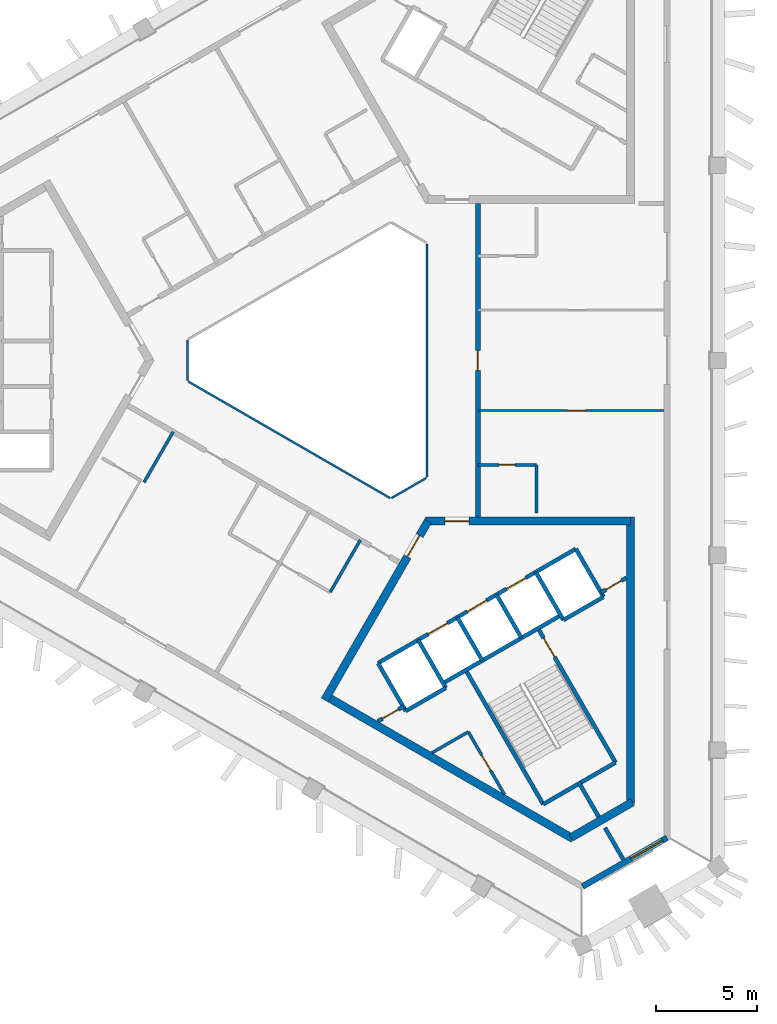
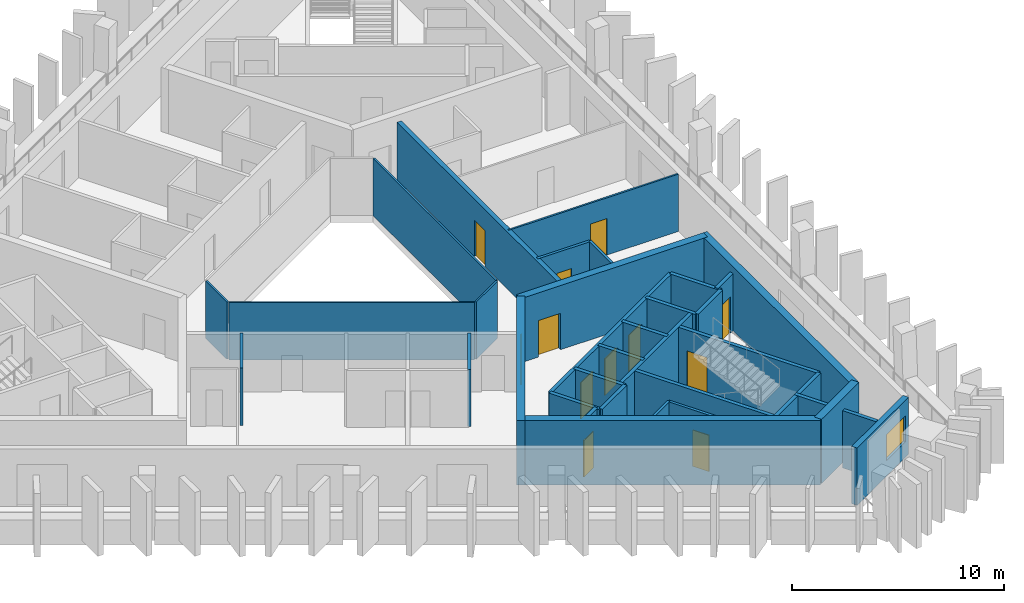
# One storey, part 3 of 9: 35 walls, 12 doors, 1 window, 13 openings.
"""IFC4 building model written with IfcOpenShell, lengths in metres."""

from ifc_helpers import new_model, si_unit, direction, frame, frame_2d, origin, place, context, subcontext, project, spatial, rectangle, extrude, material, layer, layer_set, type_object, element, fill, save


model = new_model("IFC4")

# Units and contexts
model_context = context("Model", 3, precision=1e-05, world=origin(), true_north=direction((0.0, 1.0)))
body_context = subcontext(model_context, "Body", "Model", "MODEL_VIEW")
ifc_project = project(units=[si_unit("LENGTHUNIT", "METRE"), si_unit("AREAUNIT", "SQUARE_METRE"), si_unit("VOLUMEUNIT", "CUBIC_METRE"), si_unit("PLANEANGLEUNIT", "RADIAN"), si_unit("MASSUNIT", "GRAM", prefix="KILO")], contexts=[model_context])

# Site, building, storey
site_placement = place(None, origin())
site = spatial("IfcSite", under=ifc_project, at=site_placement, CompositionType="ELEMENT")
building_placement = place(site_placement, origin())
building = spatial("IfcBuilding", under=site, at=building_placement, Name="Jabali Bay Hotel Tower and Convention Centre", CompositionType="ELEMENT")
storey_placement = place(building_placement, frame((0.0, 0.0, 277.5)))
storey = spatial("IfcBuildingStorey", under=building, at=storey_placement, Name="L68", CompositionType="ELEMENT", Elevation=277.5)

# Walls
ifc_material_1 = material(Name="Fire-resistant glazing", Category="glass")
ifc_layer_1 = layer(ifc_material_1, 0.10009765625)
ifc_layer_set_1 = layer_set([ifc_layer_1], Name="Fire-resistant glazing")
wall_type_1 = type_object("IfcWallType", Name="Atrium glazed screen 100", PredefinedType="PARTITIONING", material=ifc_layer_set_1)
wall_1_placement = place(storey_placement, frame((79.56005859375, 74.205810546875, 0.0), z_axis=(0.0, 0.0, 1.0), x_axis=(0.0, 1.0, 0.0)))
element("IfcWall", 1, at=wall_1_placement, inside=storey, type_object=wall_type_1, Name="Atrium screen 1 L68", PredefinedType="PARTITIONING", context=body_context, shape_type="SweptSolid", body=[
    extrude(rectangle(XDim=11.58837890625, YDim=0.10009765625, at=frame_2d((5.794189453125, 0.0))), origin(), (0.0, 0.0, 1.0), 3.300048828125),
])
wall_2_placement = place(storey_placement, frame((67.672119140625, 81.0, 0.0), z_axis=(0.0, 0.0, 1.0), x_axis=(0.0, -1.0, 0.0)))
element("IfcWall", 2, at=wall_2_placement, inside=storey, type_object=wall_type_1, Name="Atrium screen 4 L68", PredefinedType="PARTITIONING", context=body_context, shape_type="SweptSolid", body=[
    extrude(rectangle(XDim=2.0, YDim=0.10009765625, at=frame_2d((1.0, 0.0))), origin(), (0.0, 0.0, 1.0), 3.300048828125),
])
wall_3_placement = place(storey_placement, frame((67.7021484375, 78.947998046875, 0.0), z_axis=(0.0, 0.0, 1.0), x_axis=(0.866026658274, -0.499997827154, 0.0)))
element("IfcWall", 3, at=wall_3_placement, inside=storey, type_object=wall_type_1, Name="Atrium screen 5 L68", PredefinedType="PARTITIONING", context=body_context, shape_type="SweptSolid", body=[
    extrude(rectangle(XDim=11.58837890625, YDim=0.10009765625, at=frame_2d((5.794189453125, 0.0))), origin(), (0.0, 0.0, 1.0), 3.300048828125),
])
wall_4_placement = place(storey_placement, frame((77.7978515625, 73.15380859375, 0.0), z_axis=(0.0, 0.0, 1.0), x_axis=(0.866041268327, 0.499972520799, 0.0)))
element("IfcWall", 4, at=wall_4_placement, inside=storey, type_object=wall_type_1, Name="Atrium screen 6 L68", PredefinedType="PARTITIONING", context=body_context, shape_type="SweptSolid", body=[
    extrude(rectangle(XDim=2.0, YDim=0.10009765625, at=frame_2d((1.0, 0.0))), origin(), (0.0, 0.0, 1.0), 3.300048828125),
])
ifc_material_2 = material(Name="Concrete C40", Category="concrete")
ifc_layer_2 = layer(ifc_material_2, 0.199951171875)
ifc_layer_set_2 = layer_set([ifc_layer_2], Name="Concrete C40")
wall_type_2 = type_object("IfcWallType", Name="Core partition wall 200", PredefinedType="PARTITIONING", material=ifc_layer_set_2)
wall_5_placement = place(storey_placement, frame((87.090087890625, 59.0595703125, 0.0), z_axis=(0.0, 0.0, 1.0), x_axis=(0.499941815747, -0.866058993873, 0.0)))
element("IfcWall", 5, at=wall_5_placement, inside=storey, type_object=wall_type_2, Name="Core wall 2.5 L68", PredefinedType="PARTITIONING", context=body_context, shape_type="SweptSolid", body=[
    extrude(rectangle(XDim=2.023193359375, YDim=0.199951171875, at=frame_2d((1.01171875, 0.0))), origin(), (0.0, 0.0, 1.0), 3.300048828125),
])

# Wall, opening, door
wall_6_placement = place(storey_placement, frame((77.119873046875, 62.055908203125, 0.0), z_axis=(0.0, 0.0, 1.0), x_axis=(0.866054810376, 0.49994906283, 0.0)))
wall_6 = element("IfcWall", 6, at=wall_6_placement, inside=storey, type_object=wall_type_2, Name="Core wall 2.12 L68", PredefinedType="PARTITIONING", context=body_context, shape_type="SweptSolid", body=[
    extrude(rectangle(XDim=1.461181640625, YDim=0.199951171875, at=frame_2d((0.73046875, 0.0))), origin(), (0.0, 0.0, 1.0), 3.300048828125),
])
opening_1_placement = place(wall_6_placement, frame((0.280517578125, 0.0, 0.0)))
opening_1 = element("IfcOpeningElement", 7, at=opening_1_placement, cuts=wall_6, Name="Opening D1511", PredefinedType="OPENING", context=body_context, shape_type="SweptSolid", body=[
    extrude(rectangle(XDim=0.89990234375, YDim=2.10009765625, at=frame_2d((0.449951171875, 1.050048828125))), frame((0.0, 0.1103515625, 0.0), z_axis=(0.0, -1.0, 0.0), x_axis=(1.0, 0.0, 0.0)), (0.0, 0.0, 1.0), 0.220947265625),
])
ifc_material_3 = material(Name="Fire-rated steel door", Category="steel")
door_type_1 = type_object("IfcDoorType", Name="Vestibule fire door 900 x 2100", OperationType="NOTDEFINED", PredefinedType="NOTDEFINED", material=ifc_material_3)
door_1_placement = place(opening_1_placement, origin())
door_1 = element("IfcDoor", 8, at=door_1_placement, inside=storey, type_object=door_type_1, Name="Vestibule fire door D1511", OperationType="SINGLE_SWING_LEFT", OverallHeight=2.10009765625, OverallWidth=0.89990234375, PredefinedType="NOTDEFINED", context=body_context, shape_type="SweptSolid", body=[
    extrude(rectangle(XDim=0.89990234375, YDim=2.10009765625, at=frame_2d((0.449951171875, 1.050048828125))), frame((0.0, 0.02490234375, 0.0), z_axis=(0.0, -1.0, 0.0), x_axis=(1.0, 0.0, 0.0)), (0.0, 0.0, 1.0), 0.050048828125),
])
fill(opening_1, door_1)

wall_7_placement = place(storey_placement, frame((88.214599609375, 68.46142578125, 0.0), z_axis=(0.0, 0.0, 1.0), x_axis=(0.865982457891, 0.500074377092, 0.0)))
wall_7 = element("IfcWall", 9, at=wall_7_placement, inside=storey, type_object=wall_type_2, Name="Core wall 2.13 L68", PredefinedType="PARTITIONING", context=body_context, shape_type="SweptSolid", body=[
    extrude(rectangle(XDim=1.461181640625, YDim=0.199951171875, at=frame_2d((0.73046875, 0.0))), origin(), (0.0, 0.0, 1.0), 3.300048828125),
])
opening_2_placement = place(wall_7_placement, frame((0.280517578125, 0.0, 0.0)))
opening_2 = element("IfcOpeningElement", 10, at=opening_2_placement, cuts=wall_7, Name="Opening D1510", PredefinedType="OPENING", context=body_context, shape_type="SweptSolid", body=[
    extrude(rectangle(XDim=0.89990234375, YDim=2.10009765625, at=frame_2d((0.449951171875, 1.050048828125))), frame((0.0, 0.1103515625, 0.0), z_axis=(0.0, -1.0, 0.0), x_axis=(1.0, 0.0, 0.0)), (0.0, 0.0, 1.0), 0.220947265625),
])
door_2_placement = place(opening_2_placement, origin())
door_2 = element("IfcDoor", 11, at=door_2_placement, inside=storey, type_object=door_type_1, Name="Vestibule fire door D1510", OperationType="SINGLE_SWING_LEFT", OverallHeight=2.10009765625, OverallWidth=0.89990234375, PredefinedType="NOTDEFINED", context=body_context, shape_type="SweptSolid", body=[
    extrude(rectangle(XDim=0.89990234375, YDim=2.10009765625, at=frame_2d((0.449951171875, 1.050048828125))), frame((0.0, 0.02490234375, 0.0), z_axis=(0.0, -1.0, 0.0), x_axis=(1.0, 0.0, 0.0)), (0.0, 0.0, 1.0), 0.050048828125),
])
fill(opening_2, door_2)

ifc_material_4 = material(Name="Fire-rated board partition")
ifc_layer_3 = layer(ifc_material_4, 0.14990234375)
ifc_layer_set_3 = layer_set([ifc_layer_3], Name="Fire-rated board partition")
wall_type_3 = type_object("IfcWallType", Name="Core room partition 150", PredefinedType="PARTITIONING", material=ifc_layer_set_3)
wall_8_placement = place(storey_placement, frame((81.618896484375, 61.53564453125, 0.0), z_axis=(0.0, 0.0, 1.0), x_axis=(0.499992664208, -0.866029639064, 0.0)))
wall_8 = element("IfcWall", 12, at=wall_8_placement, inside=storey, type_object=wall_type_3, Name="Core wall 2.1 L68", PredefinedType="PARTITIONING", context=body_context, shape_type="SweptSolid", body=[
    extrude(rectangle(XDim=3.59765625, YDim=0.14990234375, at=frame_2d((1.798828125, 0.0))), origin(), (0.0, 0.0, 1.0), 3.300048828125),
])
opening_3_placement = place(wall_8_placement, frame((1.321533203125, 0.0, 0.0)))
opening_3 = element("IfcOpeningElement", 13, at=opening_3_placement, cuts=wall_8, Name="Opening D1513", PredefinedType="OPENING", context=body_context, shape_type="SweptSolid", body=[
    extrude(rectangle(XDim=0.89990234375, YDim=2.10009765625, at=frame_2d((0.449951171875, 1.050048828125))), frame((0.0, 0.08544921875, 0.0), z_axis=(0.0, -1.0, 0.0), x_axis=(1.0, 0.0, 0.0)), (0.0, 0.0, 1.0), 0.1708984375),
])
door_type_2 = type_object("IfcDoorType", Name="Core room door 900 x 2100", OperationType="NOTDEFINED", PredefinedType="NOTDEFINED", material=ifc_material_3)
door_3_placement = place(opening_3_placement, origin())
door_3 = element("IfcDoor", 14, at=door_3_placement, inside=storey, type_object=door_type_2, Name="Core room door D1513", OperationType="SINGLE_SWING_LEFT", OverallHeight=2.10009765625, OverallWidth=0.89990234375, PredefinedType="NOTDEFINED", context=body_context, shape_type="SweptSolid", body=[
    extrude(rectangle(XDim=0.89990234375, YDim=2.10009765625, at=frame_2d((0.449951171875, 1.050048828125))), frame((0.0, 0.02490234375, 0.0), z_axis=(0.0, -1.0, 0.0), x_axis=(1.0, 0.0, 0.0)), (0.0, 0.0, 1.0), 0.050048828125),
])
fill(opening_3, door_3)

# Walls
wall_9_placement = place(storey_placement, frame((79.820068359375, 60.4970703125, 0.0), z_axis=(0.0, 0.0, 1.0), x_axis=(0.866021168401, 0.500007335828, 0.0)))
element("IfcWall", 15, at=wall_9_placement, inside=storey, type_object=wall_type_3, Name="Core wall 2.16 L68", PredefinedType="PARTITIONING", context=body_context, shape_type="SweptSolid", body=[
    extrude(rectangle(XDim=2.0771484375, YDim=0.14990234375, at=frame_2d((1.03857421875, 0.0))), origin(), (0.0, 0.0, 1.0), 3.300048828125),
])
ifc_layer_4 = layer(ifc_material_2, 0.199951171875)
ifc_layer_set_4 = layer_set([ifc_layer_4], Name="Concrete C40")
wall_type_4 = type_object("IfcWallType", Name="Core stair wall 200", PredefinedType="SOLIDWALL", material=ifc_layer_set_4)
for number, where, z_axis, x_axis, name in (
    (16, (77.13525390625, 64.95166015625, 0.0), (0.0, 0.0, 1.0), (0.499996545922, -0.866027397988, 0.0), "Core wall 2.0 L68"),
    (17, (79.127197265625, 66.1015625, 0.0), (0.0, 0.0, 1.0), (0.499996545922, -0.866027397988, 0.0), "Core wall 2.2 L68"),
):
    element("IfcWall", number, at=place(storey_placement, frame(where, z_axis=z_axis, x_axis=x_axis)), inside=storey, type_object=wall_type_4, Name=name, PredefinedType="SOLIDWALL", context=body_context, shape_type="SweptSolid", body=[
        extrude(rectangle(XDim=2.75, YDim=0.199951171875, at=frame_2d((1.375, 0.0))), origin(), (0.0, 0.0, 1.0), 3.300048828125),
    ])
wall_10_placement = place(storey_placement, frame((81.492919921875, 64.603759765625, 0.0), z_axis=(0.0, 0.0, 1.0), x_axis=(0.500006057782, -0.866021906294, 0.0)))
element("IfcWall", 18, at=wall_10_placement, inside=storey, type_object=wall_type_4, Name="Core wall 2.3 L68", PredefinedType="SOLIDWALL", context=body_context, shape_type="SweptSolid", body=[
    extrude(rectangle(XDim=7.7001953125, YDim=0.199951171875, at=frame_2d((3.85009765625, 0.0))), origin(), (0.0, 0.0, 1.0), 3.300048828125),
])
for number, where, z_axis, x_axis, name in (
    (19, (81.07568359375, 67.2265625, 0.0), (0.0, 0.0, 1.0), (0.50000366821, -0.866023285932, 0.0), "Core wall 2.4 L68"),
    (20, (83.024169921875, 68.3515625, 0.0), (0.0, 0.0, 1.0), (0.50000366821, -0.866023285932, 0.0), "Core wall 2.6 L68"),
):
    element("IfcWall", number, at=place(storey_placement, frame(where, z_axis=z_axis, x_axis=x_axis)), inside=storey, type_object=wall_type_4, Name=name, PredefinedType="SOLIDWALL", context=body_context, shape_type="SweptSolid", body=[
        extrude(rectangle(XDim=2.47998046875, YDim=0.199951171875, at=frame_2d((1.239990234375, 0.0))), origin(), (0.0, 0.0, 1.0), 3.300048828125),
    ])

# Wall, opening, door
wall_11_placement = place(storey_placement, frame((85.0869140625, 66.6787109375, 0.0), z_axis=(0.0, 0.0, 1.0), x_axis=(0.500019787375, -0.866013979237, 0.0)))
wall_11 = element("IfcWall", 21, at=wall_11_placement, inside=storey, type_object=wall_type_4, Name="Core wall 2.7 L68", PredefinedType="SOLIDWALL", context=body_context, shape_type="SweptSolid", body=[
    extrude(rectangle(XDim=7.699951171875, YDim=0.199951171875, at=frame_2d((3.85009765625, 0.0))), origin(), (0.0, 0.0, 1.0), 3.300048828125),
])
opening_4_placement = place(wall_11_placement, frame((0.550048828125, 0.0, 0.0)))
opening_4 = element("IfcOpeningElement", 22, at=opening_4_placement, cuts=wall_11, Name="Opening D1512", PredefinedType="OPENING", context=body_context, shape_type="SweptSolid", body=[
    extrude(rectangle(XDim=1.10009765625, YDim=2.10009765625, at=frame_2d((0.550048828125, 1.050048828125))), frame((0.0, 0.1103515625, 0.0), z_axis=(0.0, -1.0, 0.0), x_axis=(1.0, 0.0, 0.0)), (0.0, 0.0, 1.0), 0.220947265625),
])
door_type_3 = type_object("IfcDoorType", Name="Stair fire door 1100 x 2100", OperationType="NOTDEFINED", PredefinedType="NOTDEFINED", material=ifc_material_3)
door_4_placement = place(opening_4_placement, origin())
door_4 = element("IfcDoor", 23, at=door_4_placement, inside=storey, type_object=door_type_3, Name="Stair fire door D1512", OperationType="SINGLE_SWING_RIGHT", OverallHeight=2.10009765625, OverallWidth=1.10009765625, PredefinedType="NOTDEFINED", context=body_context, shape_type="SweptSolid", body=[
    extrude(rectangle(XDim=1.10009765625, YDim=2.10009765625, at=frame_2d((0.550048828125, 1.050048828125))), frame((0.0, 0.02490234375, 0.0), z_axis=(0.0, -1.0, 0.0), x_axis=(1.0, 0.0, 0.0)), (0.0, 0.0, 1.0), 0.050048828125),
])
fill(opening_4, door_4)

# Walls
for number, where, z_axis, x_axis, name in (
    (24, (84.972900390625, 69.4765625, 0.0), (0.0, 0.0, 1.0), (0.499996545922, -0.866027397988, 0.0), "Core wall 2.8 L68"),
    (25, (86.964599609375, 70.62646484375, 0.0), (0.0, 0.0, 1.0), (0.499996545922, -0.866027397988, 0.0), "Core wall 2.9 L68"),
):
    element("IfcWall", number, at=place(storey_placement, frame(where, z_axis=z_axis, x_axis=x_axis)), inside=storey, type_object=wall_type_4, Name=name, PredefinedType="SOLIDWALL", context=body_context, shape_type="SweptSolid", body=[
        extrude(rectangle(XDim=2.75, YDim=0.199951171875, at=frame_2d((1.375, 0.0))), origin(), (0.0, 0.0, 1.0), 3.300048828125),
    ])

# Wall, openings, doors
wall_12_placement = place(storey_placement, frame((77.13525390625, 64.95166015625, 0.0), z_axis=(0.0, 0.0, 1.0), x_axis=(0.866031916153, 0.499988720078, 0.0)))
wall_12 = element("IfcWall", 26, at=wall_12_placement, inside=storey, type_object=wall_type_4, Name="Core wall 2.10 L68", PredefinedType="SOLIDWALL", context=body_context, shape_type="SweptSolid", body=[
    extrude(rectangle(XDim=11.349853515625, YDim=0.199951171875, at=frame_2d((5.6748046875, 0.0))), origin(), (0.0, 0.0, 1.0), 3.300048828125),
])
opening_5_placement = place(wall_12_placement, frame((2.875, 0.0, 0.0)))
opening_5 = element("IfcOpeningElement", 27, at=opening_5_placement, cuts=wall_12, Name="Opening LD12-L68", PredefinedType="OPENING", context=body_context, shape_type="SweptSolid", body=[
    extrude(rectangle(XDim=1.10009765625, YDim=2.10009765625, at=frame_2d((0.550048828125, 1.050048828125))), frame((0.0, 0.1103515625, 0.0), z_axis=(0.0, -1.0, 0.0), x_axis=(1.0, 0.0, 0.0)), (0.0, 0.0, 1.0), 0.220947265625),
])
opening_6_placement = place(wall_12_placement, frame((5.125, 0.0, 0.0)))
opening_6 = element("IfcOpeningElement", 28, at=opening_6_placement, cuts=wall_12, Name="Opening LD13-L68", PredefinedType="OPENING", context=body_context, shape_type="SweptSolid", body=[
    extrude(rectangle(XDim=1.10009765625, YDim=2.10009765625, at=frame_2d((0.550048828125, 1.050048828125))), frame((0.0, 0.1103515625, 0.0), z_axis=(0.0, -1.0, 0.0), x_axis=(1.0, 0.0, 0.0)), (0.0, 0.0, 1.0), 0.220947265625),
])
opening_7_placement = place(wall_12_placement, frame((7.375, 0.0, 0.0)))
opening_7 = element("IfcOpeningElement", 29, at=opening_7_placement, cuts=wall_12, Name="Opening LD14-L68", PredefinedType="OPENING", context=body_context, shape_type="SweptSolid", body=[
    extrude(rectangle(XDim=1.10009765625, YDim=2.10009765625, at=frame_2d((0.550048828125, 1.050048828125))), frame((0.0, 0.1103515625, 0.0), z_axis=(0.0, -1.0, 0.0), x_axis=(1.0, 0.0, 0.0)), (0.0, 0.0, 1.0), 0.220947265625),
])
ifc_material_5 = material(Name="Stainless steel landing door", Category="steel")
door_type_4 = type_object("IfcDoorType", Name="Landing door 1100 x 2100", OperationType="NOTDEFINED", PredefinedType="NOTDEFINED", material=ifc_material_5)
door_5_placement = place(opening_5_placement, origin())
door_5 = element("IfcDoor", 30, at=door_5_placement, inside=storey, type_object=door_type_4, Name="Landing doors LD12-L68", OperationType="SLIDING_TO_LEFT", OverallHeight=2.10009765625, OverallWidth=1.10009765625, PredefinedType="NOTDEFINED", context=body_context, shape_type="SweptSolid", body=[
    extrude(rectangle(XDim=1.10009765625, YDim=2.10009765625, at=frame_2d((0.550048828125, 1.050048828125))), frame((0.0, 0.02490234375, 0.0), z_axis=(0.0, -1.0, 0.0), x_axis=(1.0, 0.0, 0.0)), (0.0, 0.0, 1.0), 0.050048828125),
])
fill(opening_5, door_5)
door_6_placement = place(opening_6_placement, origin())
door_6 = element("IfcDoor", 31, at=door_6_placement, inside=storey, type_object=door_type_4, Name="Landing doors LD13-L68", OperationType="SLIDING_TO_RIGHT", OverallHeight=2.10009765625, OverallWidth=1.10009765625, PredefinedType="NOTDEFINED", context=body_context, shape_type="SweptSolid", body=[
    extrude(rectangle(XDim=1.10009765625, YDim=2.10009765625, at=frame_2d((0.550048828125, 1.050048828125))), frame((0.0, 0.02490234375, 0.0), z_axis=(0.0, -1.0, 0.0), x_axis=(1.0, 0.0, 0.0)), (0.0, 0.0, 1.0), 0.050048828125),
])
fill(opening_6, door_6)
door_7_placement = place(opening_7_placement, origin())
door_7 = element("IfcDoor", 32, at=door_7_placement, inside=storey, type_object=door_type_4, Name="Landing doors LD14-L68", OperationType="SLIDING_TO_LEFT", OverallHeight=2.10009765625, OverallWidth=1.10009765625, PredefinedType="NOTDEFINED", context=body_context, shape_type="SweptSolid", body=[
    extrude(rectangle(XDim=1.10009765625, YDim=2.10009765625, at=frame_2d((0.550048828125, 1.050048828125))), frame((0.0, 0.02490234375, 0.0), z_axis=(0.0, -1.0, 0.0), x_axis=(1.0, 0.0, 0.0)), (0.0, 0.0, 1.0), 0.050048828125),
])
fill(opening_7, door_7)

# Walls
wall_13_placement = place(storey_placement, frame((80.3671875, 63.953857421875, 0.0), z_axis=(0.0, 0.0, 1.0), x_axis=(0.866026575979, 0.499997969693, 0.0)))
element("IfcWall", 33, at=wall_13_placement, inside=storey, type_object=wall_type_4, Name="Core wall 2.11 L68", PredefinedType="SOLIDWALL", context=body_context, shape_type="SweptSolid", body=[
    extrude(rectangle(XDim=6.75, YDim=0.199951171875, at=frame_2d((3.375, 0.0))), origin(), (0.0, 0.0, 1.0), 3.300048828125),
])
wall_14_placement = place(storey_placement, frame((78.51025390625, 62.570068359375, 0.0), z_axis=(0.0, 0.0, 1.0), x_axis=(0.866053019151, 0.499952165731, 0.0)))
element("IfcWall", 34, at=wall_14_placement, inside=storey, type_object=wall_type_4, Name="Core wall 2.14 L68", PredefinedType="SOLIDWALL", context=body_context, shape_type="SweptSolid", body=[
    extrude(rectangle(XDim=2.300048828125, YDim=0.199951171875, at=frame_2d((1.14990234375, 0.0))), origin(), (0.0, 0.0, 1.0), 3.300048828125),
])
wall_15_placement = place(storey_placement, frame((86.347900390625, 67.094970703125, 0.0), z_axis=(0.0, 0.0, 1.0), x_axis=(0.86602648383, 0.499998129301, 0.0)))
element("IfcWall", 35, at=wall_15_placement, inside=storey, type_object=wall_type_4, Name="Core wall 2.15 L68", PredefinedType="SOLIDWALL", context=body_context, shape_type="SweptSolid", body=[
    extrude(rectangle(XDim=2.2998046875, YDim=0.199951171875, at=frame_2d((1.14990234375, 0.0))), origin(), (0.0, 0.0, 1.0), 3.300048828125),
])
wall_16_placement = place(storey_placement, frame((85.343017578125, 57.935302734375, 0.0), z_axis=(0.0, 0.0, 1.0), x_axis=(0.866004344652, 0.500036473714, 0.0)))
element("IfcWall", 36, at=wall_16_placement, inside=storey, type_object=wall_type_4, Name="Core wall 2.17 L68", PredefinedType="SOLIDWALL", context=body_context, shape_type="SweptSolid", body=[
    extrude(rectangle(XDim=4.150146484375, YDim=0.199951171875, at=frame_2d((2.0751953125, 0.0))), origin(), (0.0, 0.0, 1.0), 3.300048828125),
])

# Wall, opening, door
ifc_material_6 = material(Name="Concrete C60", Category="concrete")
ifc_layer_5 = layer(ifc_material_6, 0.39990234375)
ifc_layer_set_5 = layer_set([ifc_layer_5], Name="Concrete C60")
wall_type_5 = type_object("IfcWallType", Name="Core wall 400", PredefinedType="SHEAR", material=ifc_layer_set_5)
wall_17_placement = place(storey_placement, frame((79.615478515625, 72.005859375, 0.0), z_axis=(0.0, 0.0, 1.0), x_axis=(-0.50000177223, -0.866024380585, 0.0)))
wall_17 = element("IfcWall", 37, at=wall_17_placement, inside=storey, type_object=wall_type_5, Name="Core wall 3.1 L68", PredefinedType="SHEAR", context=body_context, shape_type="SweptSolid", body=[
    extrude(rectangle(XDim=10.2646484375, YDim=0.39990234375, at=frame_2d((5.13232421875, 0.0))), origin(), (0.0, 0.0, 1.0), 3.699951171875),
])
opening_8_placement = place(wall_17_placement, frame((0.83447265625, 0.0, 0.0)))
opening_8 = element("IfcOpeningElement", 38, at=opening_8_placement, cuts=wall_17, Name="Opening D1508", PredefinedType="OPENING", context=body_context, shape_type="SweptSolid", body=[
    extrude(rectangle(XDim=1.199951171875, YDim=2.10009765625, at=frame_2d((0.60009765625, 1.050048828125))), frame((0.0, 0.21044921875, 0.0), z_axis=(0.0, -1.0, 0.0), x_axis=(1.0, 0.0, 0.0)), (0.0, 0.0, 1.0), 0.4208984375),
])
door_type_5 = type_object("IfcDoorType", Name="Corridor end fire door 1200 x 2100", OperationType="NOTDEFINED", PredefinedType="NOTDEFINED", material=ifc_material_3)
door_8_placement = place(opening_8_placement, origin())
door_8 = element("IfcDoor", 39, at=door_8_placement, inside=storey, type_object=door_type_5, Name="Corridor end fire door D1508", OperationType="SINGLE_SWING_RIGHT", OverallHeight=2.10009765625, OverallWidth=1.199951171875, PredefinedType="NOTDEFINED", context=body_context, shape_type="SweptSolid", body=[
    extrude(rectangle(XDim=1.199951171875, YDim=2.10009765625, at=frame_2d((0.60009765625, 1.050048828125))), frame((0.0, 0.02490234375, 0.0), z_axis=(0.0, -1.0, 0.0), x_axis=(1.0, 0.0, 0.0)), (0.0, 0.0, 1.0), 0.050048828125),
])
fill(opening_8, door_8)

# Walls
wall_18_placement = place(storey_placement, frame((74.583251953125, 63.28955078125, 0.0), z_axis=(0.0, 0.0, 1.0), x_axis=(0.866024494188, -0.500001575463, 0.0)))
element("IfcWall", 40, at=wall_18_placement, inside=storey, type_object=wall_type_5, Name="Core wall 3.2 L68", PredefinedType="SHEAR", context=body_context, shape_type="SweptSolid", body=[
    extrude(rectangle(XDim=14.13330078125, YDim=0.39990234375, at=frame_2d((7.066650390625, 0.0))), origin(), (0.0, 0.0, 1.0), 3.699951171875),
])
wall_19_placement = place(storey_placement, frame((86.72314453125, 56.28076171875, 0.0), z_axis=(0.0, 0.0, 1.0), x_axis=(0.866025485263, 0.499999858875, 0.0)))
element("IfcWall", 41, at=wall_19_placement, inside=storey, type_object=wall_type_5, Name="Core wall 3.3 L68", PredefinedType="SHEAR", context=body_context, shape_type="SweptSolid", body=[
    extrude(rectangle(XDim=3.52978515625, YDim=0.39990234375, at=frame_2d((1.764892578125, 0.0))), origin(), (0.0, 0.0, 1.0), 3.699951171875),
])
wall_20_placement = place(storey_placement, frame((89.679931640625, 57.98779296875, 0.0), z_axis=(0.0, 0.0, 1.0), x_axis=(0.0, 1.0, 0.0)))
element("IfcWall", 42, at=wall_20_placement, inside=storey, type_object=wall_type_5, Name="Core wall 3.4 L68", PredefinedType="SHEAR", context=body_context, shape_type="SweptSolid", body=[
    extrude(rectangle(XDim=14.218017578125, YDim=0.39990234375, at=frame_2d((7.10888671875, 0.0))), origin(), (0.0, 0.0, 1.0), 3.699951171875),
])

# Wall, opening, door
wall_21_placement = place(storey_placement, frame((89.679931640625, 72.005859375, 0.0), z_axis=(0.0, 0.0, 1.0), x_axis=(-1.0, 0.0, 0.0)))
wall_21 = element("IfcWall", 43, at=wall_21_placement, inside=storey, type_object=wall_type_5, Name="Core wall 3.5 L68", PredefinedType="SHEAR", context=body_context, shape_type="SweptSolid", body=[
    extrude(rectangle(XDim=10.179931640625, YDim=0.39990234375, at=frame_2d((5.08984375, 0.0))), origin(), (0.0, 0.0, 1.0), 3.699951171875),
])
opening_9_placement = place(wall_21_placement, frame((8.030029296875, 0.0, 0.0)))
opening_9 = element("IfcOpeningElement", 44, at=opening_9_placement, cuts=wall_21, Name="Opening D1509", PredefinedType="OPENING", context=body_context, shape_type="SweptSolid", body=[
    extrude(rectangle(XDim=1.199951171875, YDim=2.10009765625, at=frame_2d((0.60009765625, 1.050048828125))), frame((0.0, 0.21044921875, 0.0), z_axis=(0.0, -1.0, 0.0), x_axis=(1.0, 0.0, 0.0)), (0.0, 0.0, 1.0), 0.4208984375),
])
door_9_placement = place(opening_9_placement, origin())
door_9 = element("IfcDoor", 45, at=door_9_placement, inside=storey, type_object=door_type_5, Name="Corridor end fire door D1509", OperationType="SINGLE_SWING_LEFT", OverallHeight=2.10009765625, OverallWidth=1.199951171875, PredefinedType="NOTDEFINED", context=body_context, shape_type="SweptSolid", body=[
    extrude(rectangle(XDim=1.199951171875, YDim=2.10009765625, at=frame_2d((0.60009765625, 1.050048828125))), frame((0.0, 0.02490234375, 0.0), z_axis=(0.0, -1.0, 0.0), x_axis=(1.0, 0.0, 0.0)), (0.0, 0.0, 1.0), 0.050048828125),
])
fill(opening_9, door_9)

ifc_layer_6 = layer(ifc_material_6, 0.25)
ifc_layer_set_6 = layer_set([ifc_layer_6], Name="Concrete C60")
wall_type_6 = type_object("IfcWallType", Name="Corridor wall 250", PredefinedType="SHEAR", material=ifc_layer_set_6)
wall_22_placement = place(storey_placement, frame((82.10009765625, 72.205810546875, 0.0), z_axis=(0.0, 0.0, 1.0), x_axis=(0.0, 1.0, 0.0)))
wall_22 = element("IfcWall", 46, at=wall_22_placement, inside=storey, type_object=wall_type_6, Name="Corridor wall 1 L68", PredefinedType="SHEAR", context=body_context, shape_type="SweptSolid", body=[
    extrude(rectangle(XDim=15.58837890625, YDim=0.25, at=frame_2d((7.794189453125, 0.0))), origin(), (0.0, 0.0, 1.0), 3.300048828125),
])
opening_10_placement = place(wall_22_placement, frame((7.294189453125, 0.0, 0.0)))
opening_10 = element("IfcOpeningElement", 47, at=opening_10_placement, cuts=wall_22, Name="Opening 6805", PredefinedType="OPENING", context=body_context, shape_type="SweptSolid", body=[
    extrude(rectangle(XDim=1.0, YDim=2.10009765625, at=frame_2d((0.5, 1.050048828125))), frame((0.0, 0.135498046875, 0.0), z_axis=(0.0, -1.0, 0.0), x_axis=(1.0, 0.0, 0.0)), (0.0, 0.0, 1.0), 0.27099609375),
])
ifc_material_7 = material(Name="Timber", Category="wood")
door_type_6 = type_object("IfcDoorType", Name="Guest room door 1000 x 2100", OperationType="NOTDEFINED", PredefinedType="NOTDEFINED", material=ifc_material_7)
door_10_placement = place(opening_10_placement, origin())
door_10 = element("IfcDoor", 48, at=door_10_placement, inside=storey, type_object=door_type_6, Name="Door 6805", OperationType="SINGLE_SWING_RIGHT", OverallHeight=2.10009765625, OverallWidth=1.0, PredefinedType="NOTDEFINED", context=body_context, shape_type="SweptSolid", body=[
    extrude(rectangle(XDim=1.0, YDim=2.10009765625, at=frame_2d((0.5, 1.050048828125))), frame((0.0, 0.02490234375, 0.0), z_axis=(0.0, -1.0, 0.0), x_axis=(1.0, 0.0, 0.0)), (0.0, 0.0, 1.0), 0.050048828125),
])
fill(opening_10, door_10)

# Wall, opening, window
ifc_layer_7 = layer(ifc_material_2, 0.300048828125)
ifc_layer_set_7 = layer_set([ifc_layer_7], Name="Concrete C40")
wall_type_7 = type_object("IfcWallType", Name="External wall 300", PredefinedType="SOLIDWALL", material=ifc_layer_set_7)
wall_23_placement = place(storey_placement, frame((91.503173828125, 56.270263671875, 0.0), z_axis=(0.0, 0.0, 1.0), x_axis=(-0.866003008796, -0.500038787251, 0.0)))
wall_23 = element("IfcWall", 49, at=wall_23_placement, inside=storey, type_object=wall_type_7, Name="External wall south-east chamfer L68", PredefinedType="SOLIDWALL", context=body_context, shape_type="SweptSolid", body=[
    extrude(rectangle(XDim=4.8544921875, YDim=0.300048828125, at=frame_2d((2.42724609375, 0.0))), origin(), (0.0, 0.0, 1.0), 3.300048828125),
])
opening_11_placement = place(wall_23_placement, frame((0.270263671875, 0.0, 0.89990234375)))
opening_11 = element("IfcOpeningElement", 50, at=opening_11_placement, cuts=wall_23, Name="Opening W1", PredefinedType="OPENING", context=body_context, shape_type="SweptSolid", body=[
    extrude(rectangle(XDim=1.800048828125, YDim=1.5, at=frame_2d((0.89990234375, 0.75))), frame((0.0, 0.16064453125, 0.0), z_axis=(0.0, -1.0, 0.0), x_axis=(1.0, 0.0, 0.0)), (0.0, 0.0, 1.0), 0.321044921875),
])
ifc_material_8 = material(Name="Glass", Category="glass")
window_type = type_object("IfcWindowType", Name="Window 1800 x 1500", PartitioningType="SINGLE_PANEL", PredefinedType="WINDOW", material=ifc_material_8)
window_placement = place(opening_11_placement, origin())
window = element("IfcWindow", 51, at=window_placement, inside=storey, type_object=window_type, Name="Window", OverallHeight=1.5, OverallWidth=1.800048828125, PartitioningType="SINGLE_PANEL", PredefinedType="WINDOW", context=body_context, shape_type="SweptSolid", body=[
    extrude(rectangle(XDim=1.800048828125, YDim=1.5, at=frame_2d((0.89990234375, 0.75))), frame((0.0, 0.030029296875, 0.0), z_axis=(0.0, -1.0, 0.0), x_axis=(1.0, 0.0, 0.0)), (0.0, 0.0, 1.0), 0.06005859375),
])
fill(opening_11, window)

# Wall, opening, door
ifc_material_9 = material(Name="Plasterboard on steel stud", Category="steel")
ifc_layer_8 = layer(ifc_material_9, 0.10009765625)
ifc_layer_set_8 = layer_set([ifc_layer_8], Name="Plasterboard on steel stud")
wall_type_8 = type_object("IfcWallType", Name="Partition 100 unit", PredefinedType="PARTITIONING", material=ifc_layer_set_8)
wall_24_placement = place(storey_placement, frame((91.353271484375, 77.505859375, 0.0), z_axis=(0.0, 0.0, 1.0), x_axis=(-1.0, 0.0, 0.0)))
wall_24 = element("IfcWall", 52, at=wall_24_placement, inside=storey, type_object=wall_type_8, Name="Partition P02 L68 001", PredefinedType="PARTITIONING", context=body_context, shape_type="SweptSolid", body=[
    extrude(rectangle(XDim=9.253173828125, YDim=0.10009765625, at=frame_2d((4.62646484375, 0.0))), origin(), (0.0, 0.0, 1.0), 3.300048828125),
])
opening_12_placement = place(wall_24_placement, frame((3.903076171875, 0.0, 0.0)))
opening_12 = element("IfcOpeningElement", 53, at=opening_12_placement, cuts=wall_24, Name="Opening 6803", PredefinedType="OPENING", context=body_context, shape_type="SweptSolid", body=[
    extrude(rectangle(XDim=0.89990234375, YDim=2.10009765625, at=frame_2d((0.449951171875, 1.050048828125))), frame((0.0, 0.060546875, 0.0), z_axis=(0.0, -1.0, 0.0), x_axis=(1.0, 0.0, 0.0)), (0.0, 0.0, 1.0), 0.12109375),
])
door_type_7 = type_object("IfcDoorType", Name="Internal door 900 x 2100", OperationType="NOTDEFINED", PredefinedType="NOTDEFINED", material=ifc_material_7)
door_11_placement = place(opening_12_placement, origin())
door_11 = element("IfcDoor", 54, at=door_11_placement, inside=storey, type_object=door_type_7, Name="Door 6803", OperationType="SINGLE_SWING_RIGHT", OverallHeight=2.10009765625, OverallWidth=0.89990234375, PredefinedType="NOTDEFINED", context=body_context, shape_type="SweptSolid", body=[
    extrude(rectangle(XDim=0.89990234375, YDim=2.10009765625, at=frame_2d((0.449951171875, 1.050048828125))), frame((0.0, 0.02490234375, 0.0), z_axis=(0.0, -1.0, 0.0), x_axis=(1.0, 0.0, 0.0)), (0.0, 0.0, 1.0), 0.050048828125),
])
fill(opening_12, door_11)

ifc_layer_9 = layer(ifc_material_9, 0.14990234375)
ifc_layer_set_9 = layer_set([ifc_layer_9], Name="Plasterboard on steel stud")
wall_type_9 = type_object("IfcWallType", Name="Partition 150 wet", PredefinedType="PARTITIONING", material=ifc_layer_set_9)
wall_25_placement = place(storey_placement, frame((82.10009765625, 74.8056640625, 0.0), z_axis=(0.0, 0.0, 1.0), x_axis=(1.0, 0.0, 0.0)))
wall_25 = element("IfcWall", 55, at=wall_25_placement, inside=storey, type_object=wall_type_9, Name="Partition P03 L68 002", PredefinedType="PARTITIONING", context=body_context, shape_type="SweptSolid", body=[
    extrude(rectangle(XDim=2.89990234375, YDim=0.14990234375, at=frame_2d((1.449951171875, 0.0))), origin(), (0.0, 0.0, 1.0), 3.300048828125),
])
opening_13_placement = place(wall_25_placement, frame((1.050048828125, 0.0, 0.0)))
opening_13 = element("IfcOpeningElement", 56, at=opening_13_placement, cuts=wall_25, Name="Opening 6801", PredefinedType="OPENING", context=body_context, shape_type="SweptSolid", body=[
    extrude(rectangle(XDim=0.800048828125, YDim=2.10009765625, at=frame_2d((0.39990234375, 1.050048828125))), frame((0.0, 0.08544921875, 0.0), z_axis=(0.0, -1.0, 0.0), x_axis=(1.0, 0.0, 0.0)), (0.0, 0.0, 1.0), 0.1708984375),
])
door_type_8 = type_object("IfcDoorType", Name="En-suite door 800 x 2100", OperationType="NOTDEFINED", PredefinedType="NOTDEFINED", material=ifc_material_7)
door_12_placement = place(opening_13_placement, origin())
door_12 = element("IfcDoor", 57, at=door_12_placement, inside=storey, type_object=door_type_8, Name="Door 6801", OperationType="SINGLE_SWING_LEFT", OverallHeight=2.10009765625, OverallWidth=0.800048828125, PredefinedType="NOTDEFINED", context=body_context, shape_type="SweptSolid", body=[
    extrude(rectangle(XDim=0.800048828125, YDim=2.10009765625, at=frame_2d((0.39990234375, 1.050048828125))), frame((0.0, 0.02490234375, 0.0), z_axis=(0.0, -1.0, 0.0), x_axis=(1.0, 0.0, 0.0)), (0.0, 0.0, 1.0), 0.050048828125),
])
fill(opening_13, door_12)

# Walls
wall_26_placement = place(storey_placement, frame((85.0, 74.8056640625, 0.0), z_axis=(0.0, 0.0, 1.0), x_axis=(0.0, -1.0, 0.0)))
element("IfcWall", 58, at=wall_26_placement, inside=storey, type_object=wall_type_9, Name="Partition P03 L68 003", PredefinedType="PARTITIONING", context=body_context, shape_type="SweptSolid", body=[
    extrude(rectangle(XDim=2.39990234375, YDim=0.14990234375, at=frame_2d((1.199951171875, 0.0))), origin(), (0.0, 0.0, 1.0), 3.300048828125),
])
wall_27_placement = place(storey_placement, frame((66.95166015625, 76.4482421875, 0.0), z_axis=(0.0, 0.0, 1.0), x_axis=(-0.499987231761, -0.866032775405, 0.0)))
element("IfcWall", 59, at=wall_27_placement, inside=storey, type_object=wall_type_9, Name="Partition P03 L68 021", PredefinedType="PARTITIONING", context=body_context, shape_type="SweptSolid", body=[
    extrude(rectangle(XDim=2.89990234375, YDim=0.14990234375, at=frame_2d((1.449951171875, 0.0))), origin(), (0.0, 0.0, 1.0), 3.300048828125),
])
wall_28_placement = place(storey_placement, frame((76.256591796875, 71.076171875, 0.0), z_axis=(0.0, 0.0, 1.0), x_axis=(-0.499990139034, -0.866031096941, 0.0)))
element("IfcWall", 60, at=wall_28_placement, inside=storey, type_object=wall_type_9, Name="Partition P03 L68 025", PredefinedType="PARTITIONING", context=body_context, shape_type="SweptSolid", body=[
    extrude(rectangle(XDim=3.0, YDim=0.14990234375, at=frame_2d((1.5, 0.0))), origin(), (0.0, 0.0, 1.0), 3.300048828125),
])
ifc_layer_10 = layer(ifc_material_9, 0.199951171875)
ifc_layer_set_10 = layer_set([ifc_layer_10], Name="Plasterboard on steel stud")
wall_type_10 = type_object("IfcWallType", Name="Partition 200 party", PredefinedType="PARTITIONING", material=ifc_layer_set_10)
wall_29_placement = place(storey_placement, frame((88.412353515625, 56.77099609375, 0.0), z_axis=(0.0, 0.0, 1.0), x_axis=(0.500014506688, -0.866017028182, 0.0)))
element("IfcWall", 61, at=wall_29_placement, inside=storey, type_object=wall_type_10, Name="Partition P01 L68 004", PredefinedType="PARTITIONING", context=body_context, shape_type="SweptSolid", body=[
    extrude(rectangle(XDim=1.80908203125, YDim=0.199951171875, at=frame_2d((0.904541015625, 0.0))), origin(), (0.0, 0.0, 1.0), 3.300048828125),
])

save(model, "model.ifc")
